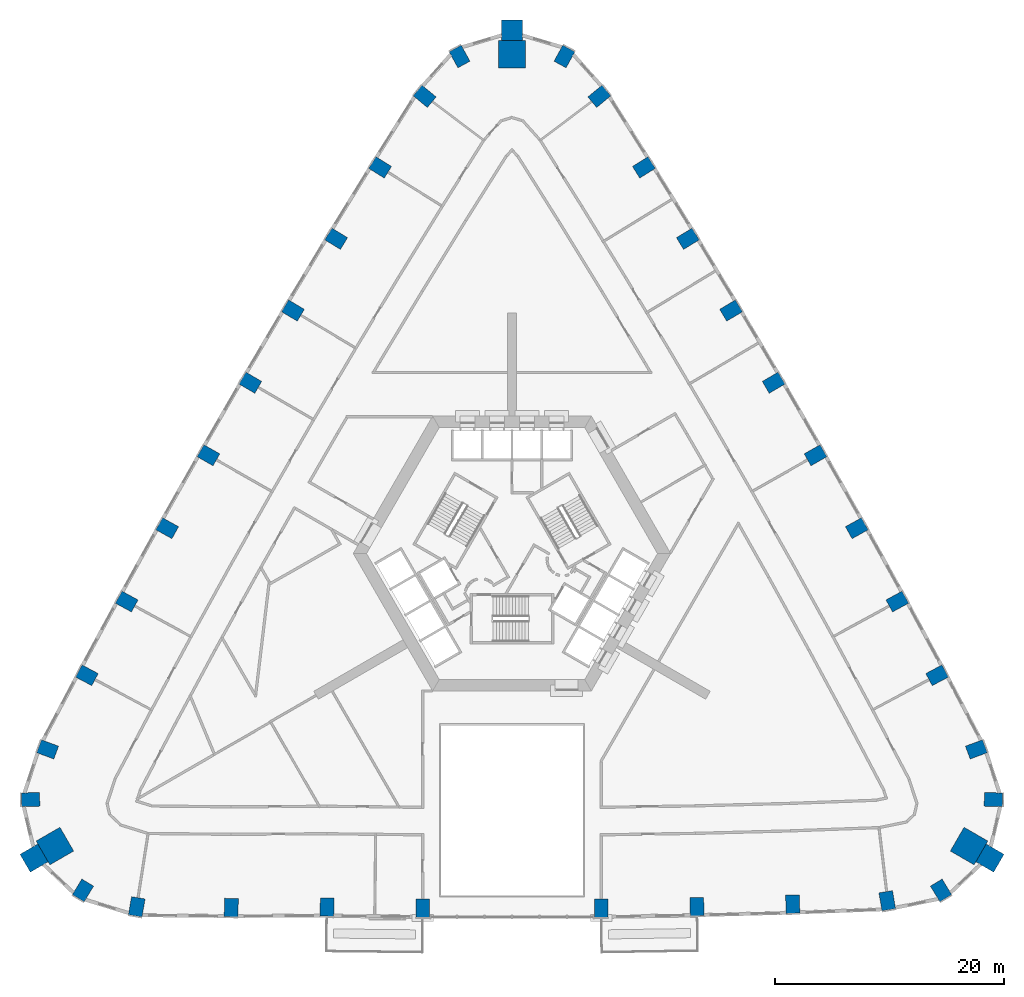
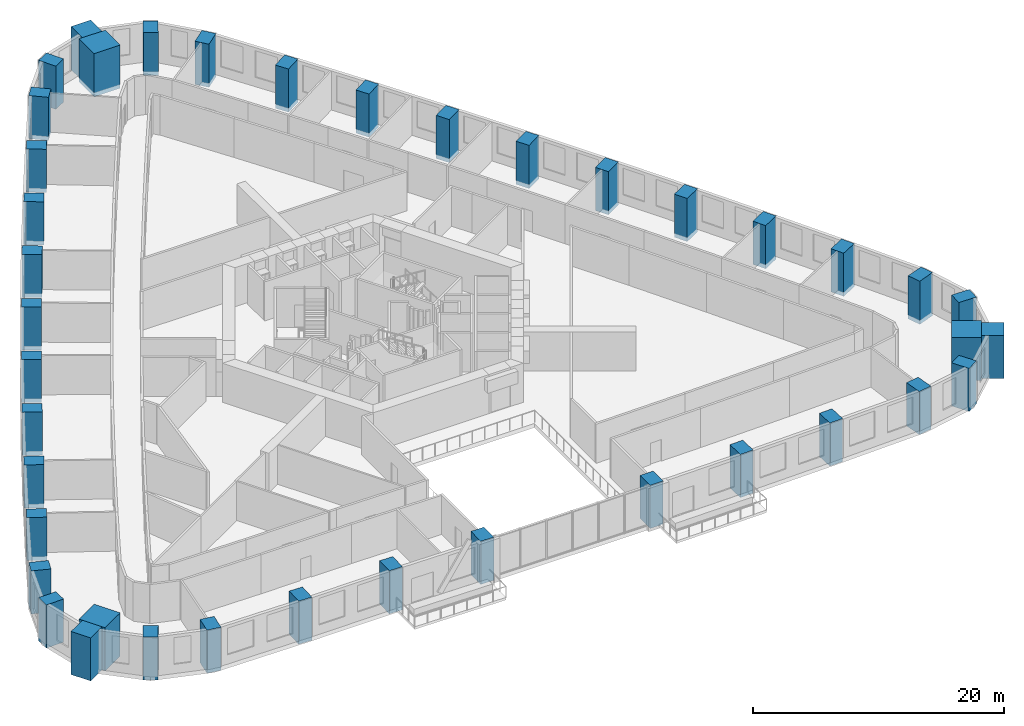
# One storey, part 1 of 14: 40 columns.
"""IFC4 building model written with IfcOpenShell, lengths in metres."""

from ifc_helpers import new_model, si_unit, direction, frame, origin, origin_2d, place, context, subcontext, project, spatial, rectangle, extrude, material, material_profile, profile_set, type_object, element, save


model = new_model("IFC4")

# Units and contexts
model_context = context("Model", 3, precision=1e-05, world=origin(), true_north=direction((0.0, 1.0)))
body_context = subcontext(model_context, "Body", "Model", "MODEL_VIEW")
ifc_project = project(units=[si_unit("LENGTHUNIT", "METRE"), si_unit("AREAUNIT", "SQUARE_METRE"), si_unit("VOLUMEUNIT", "CUBIC_METRE"), si_unit("PLANEANGLEUNIT", "RADIAN"), si_unit("MASSUNIT", "GRAM", prefix="KILO")], contexts=[model_context])

# Site, building, storey
site_placement = place(None, origin())
site = spatial("IfcSite", under=ifc_project, at=site_placement, CompositionType="ELEMENT")
building_placement = place(site_placement, origin())
building = spatial("IfcBuilding", under=site, at=building_placement, Name="Entoto Arch Interchange Tower", CompositionType="ELEMENT")
storey_placement = place(building_placement, frame((0.0, 0.0, 64.39990234375)))
storey = spatial("IfcBuildingStorey", under=building, at=storey_placement, Name="L13", CompositionType="ELEMENT", Elevation=64.39990234375)

# Columns
ifc_material_1 = material(Name="Concrete C60/75", Category="concrete")
ifc_material_profile_1 = material_profile(ifc_material_1, rectangle(XDim=1.199951171875, YDim=1.60009765625, at=origin_2d()))
ifc_profile_set_1 = profile_set([ifc_material_profile_1], Name="Concrete C60/75")
column_type_1 = type_object("IfcColumnType", Name="Column RC 1200x1600 C60/75", PredefinedType="COLUMN", material=ifc_profile_set_1)
for number, where, z_axis, x_axis, name in (
    (1, (-32.760986328125, -28.345947265625, -0.39990234375), (0.0, 0.0, 1.0), (-0.98600476771, 0.166717119856, 0.0), "Column S01 L13"),
    (2, (-24.510009765625, -28.416015625, -0.39990234375), (0.0, 0.0, 1.0), (-0.999434480961, 0.033626154508, 0.0), "Column S02 L13"),
    (3, (-16.14990234375, -28.367919921875, -0.39990234375), (0.0, 0.0, 1.0), (-0.99975435134, 0.022163866481, 0.0), "Column S03 L13"),
    (4, (-7.79296875, -28.4609375, -0.39990234375), (0.0, 0.0, 1.0), (-0.999966355195, 0.008202955488, 0.0), "Column S04 L13"),
    (5, (7.79296875, -28.4609375, -0.39990234375), (0.0, 0.0, 1.0), (0.999966355195, 0.008202955488, 0.0), "Column S05 L13"),
    (6, (16.14990234375, -28.33203125, -0.39990234375), (0.0, 0.0, 1.0), (0.99975435134, 0.022163866481, 0.0), "Column S06 L13"),
    (7, (24.510009765625, -28.114013671875, -0.39990234375), (0.0, 0.0, 1.0), (0.999434480961, 0.033626154508, 0.0), "Column S07 L13"),
    (8, (32.760986328125, -27.818115234375, -0.39990234375), (0.0, 0.0, 1.0), (0.98600476771, 0.166717119856, 0.0), "Column S08 L13"),
    (9, (37.45703125, -26.9130859375, -0.39990234375), (0.0, 0.0, 1.0), (0.854522294989, 0.519414716163, 0.0), "Column SE1 L13"),
    (10, (42.034912109375, -18.98193359375, -0.39990234375), (0.0, 0.0, 1.0), (0.022565191802, 0.999745373642, 0.0), "Column SE3 L13"),
    (11, (40.5439453125, -14.60400390625, -0.39990234375), (0.0, 0.0, 1.0), (-0.348277574304, 0.937391450375, 0.0), "Column NE01 L13"),
    (12, (37.116943359375, -8.132080078125, -0.39990234375), (0.0, 0.0, 1.0), (-0.46931745221, 0.883029517656, 0.0), "Column NE02 L13"),
    (13, (33.639892578125, -1.695068359375, -0.39990234375), (0.0, 0.0, 1.0), (-0.478140110514, 0.878283573066, 0.0), "Column NE03 L13"),
    (14, (30.10205078125, 4.7080078125, -0.39990234375), (0.0, 0.0, 1.0), (-0.486914781103, 0.873449481048, 0.0), "Column NE04 L13"),
    (15, (26.5029296875, 11.077880859375, -0.39990234375), (0.0, 0.0, 1.0), (-0.495655741916, 0.868519076074, 0.0), "Column NE05 L13"),
    (16, (22.845947265625, 17.4130859375, -0.39990234375), (0.0, 0.0, 1.0), (-0.504331712594, 0.863510002068, 0.0), "Column NE06 L13"),
    (17, (19.126953125, 23.714111328125, -0.39990234375), (0.0, 0.0, 1.0), (-0.512972048958, 0.858405310438, 0.0), "Column NE07 L13"),
    (18, (15.35107421875, 29.98095703125, -0.39990234375), (0.0, 0.0, 1.0), (-0.521545830745, 0.853223268806, 0.0), "Column NE08 L13"),
    (19, (11.51611328125, 36.2109375, -0.39990234375), (0.0, 0.0, 1.0), (-0.530067268476, 0.847955594881, 0.0), "Column NE09 L13"),
    (20, (7.625, 42.4140625, -0.39990234375), (0.0, 0.0, 1.0), (-0.637666022163, 0.770312952103, 0.0), "Column NE10 L13"),
    (21, (4.5791015625, 45.89501953125, -0.39990234375), (0.0, 0.0, 1.0), (-0.877079103306, 0.48034596547, 0.0), "Column N1 L13"),
    (22, (-4.5791015625, 45.89501953125, -0.39990234375), (0.0, 0.0, 1.0), (0.877079103306, 0.48034596547, 0.0), "Column N3 L13"),
    (23, (-7.625, 42.4140625, -0.39990234375), (0.0, 0.0, 1.0), (0.637666022163, 0.770312952103, 0.0), "Column NW01 L13"),
    (24, (-11.51611328125, 36.2109375, -0.39990234375), (0.0, 0.0, 1.0), (0.530067268476, 0.847955594881, 0.0), "Column NW02 L13"),
    (25, (-15.35107421875, 29.98095703125, -0.39990234375), (0.0, 0.0, 1.0), (0.521545830745, 0.853223268806, 0.0), "Column NW03 L13"),
    (26, (-19.126953125, 23.714111328125, -0.39990234375), (0.0, 0.0, 1.0), (0.512972048958, 0.858405310438, 0.0), "Column NW04 L13"),
    (27, (-22.845947265625, 17.4130859375, -0.39990234375), (0.0, 0.0, 1.0), (0.504331712594, 0.863510002068, 0.0), "Column NW05 L13"),
    (28, (-26.5029296875, 11.077880859375, -0.39990234375), (0.0, 0.0, 1.0), (0.495655741916, 0.868519076074, 0.0), "Column NW06 L13"),
    (29, (-30.10205078125, 4.7080078125, -0.39990234375), (0.0, 0.0, 1.0), (0.486914781103, 0.873449481048, 0.0), "Column NW07 L13"),
    (30, (-33.639892578125, -1.695068359375, -0.39990234375), (0.0, 0.0, 1.0), (0.478140110514, 0.878283573066, 0.0), "Column NW08 L13"),
    (31, (-37.116943359375, -8.132080078125, -0.39990234375), (0.0, 0.0, 1.0), (0.46931745221, 0.883029517656, 0.0), "Column NW09 L13"),
    (32, (-40.5439453125, -14.60400390625, -0.39990234375), (0.0, 0.0, 1.0), (0.348277574304, 0.937391450375, 0.0), "Column NW10 L13"),
    (33, (-42.034912109375, -18.98193359375, -0.39990234375), (0.0, 0.0, 1.0), (-0.022565191802, 0.999745373642, 0.0), "Column SW1 L13"),
    (34, (-37.45703125, -26.9130859375, -0.39990234375), (0.0, 0.0, 1.0), (-0.854522294989, 0.519414716163, 0.0), "Column SW3 L13"),
):
    element("IfcColumn", number, at=place(storey_placement, frame(where, z_axis=z_axis, x_axis=x_axis)), inside=storey, type_object=column_type_1, Name=name, PredefinedType="COLUMN", context=body_context, shape_type="SweptSolid", body=[
        extrude(rectangle(XDim=1.199951171875, YDim=1.60009765625, at=origin_2d()), origin(), (0.0, 0.0, 1.0), 4.199951171875),
    ])
ifc_material_2 = material(Name="Precast concrete C40/50", Category="concrete")
ifc_material_profile_2 = material_profile(ifc_material_2, rectangle(XDim=1.800048828125, YDim=1.800048828125, at=origin_2d()))
ifc_profile_set_2 = profile_set([ifc_material_profile_2], Name="Precast concrete C40/50")
column_type_2 = type_object("IfcColumnType", Name="Frame post RC 1800x1800 precast C40/50", PredefinedType="COLUMN", material=ifc_profile_set_2)
for number, where, z_axis, x_axis, name in (
    (35, (41.72705078125, -24.091064453125, -0.39990234375), (0.0, 0.0, 1.0), (-0.866025403784, 0.5, 0.0), "Frame post SE L13"),
    (36, (0.0, 48.181884765625, -0.39990234375), (0.0, 0.0, 1.0), (0.0, 1.0, 0.0), "Frame post N L13"),
    (37, (-41.72705078125, -24.091064453125, -0.39990234375), (0.0, 0.0, 1.0), (0.866025403784, 0.5, 0.0), "Frame post SW L13"),
):
    element("IfcColumn", number, at=place(storey_placement, frame(where, z_axis=z_axis, x_axis=x_axis)), inside=storey, type_object=column_type_2, Name=name, PredefinedType="COLUMN", context=body_context, shape_type="SweptSolid", body=[
        extrude(rectangle(XDim=1.800048828125, YDim=1.800048828125, at=origin_2d()), origin(), (0.0, 0.0, 1.0), 4.199951171875),
    ])
ifc_material_profile_3 = material_profile(ifc_material_1, rectangle(XDim=2.39990234375, YDim=2.39990234375, at=origin_2d()))
ifc_profile_set_3 = profile_set([ifc_material_profile_3], Name="Concrete C60/75")
column_type_3 = type_object("IfcColumnType", Name="Mega column RC 2400x2400 C60/75", PredefinedType="COLUMN", material=ifc_profile_set_3)
for number, where, z_axis, x_axis, name in (
    (38, (39.907958984375, -23.041015625, -0.39990234375), (0.0, 0.0, 1.0), (-0.866025403784, 0.5, 0.0), "Corner mega column SE2 L13"),
    (39, (0.0, 46.08203125, -0.39990234375), (0.0, 0.0, 1.0), (0.0, 1.0, 0.0), "Corner mega column N2 L13"),
    (40, (-39.907958984375, -23.041015625, -0.39990234375), (0.0, 0.0, 1.0), (0.866025403784, 0.5, 0.0), "Corner mega column SW2 L13"),
):
    element("IfcColumn", number, at=place(storey_placement, frame(where, z_axis=z_axis, x_axis=x_axis)), inside=storey, type_object=column_type_3, Name=name, PredefinedType="COLUMN", context=body_context, shape_type="SweptSolid", body=[
        extrude(rectangle(XDim=2.39990234375, YDim=2.39990234375, at=origin_2d()), origin(), (0.0, 0.0, 1.0), 4.199951171875),
    ])

save(model, "model.ifc")
